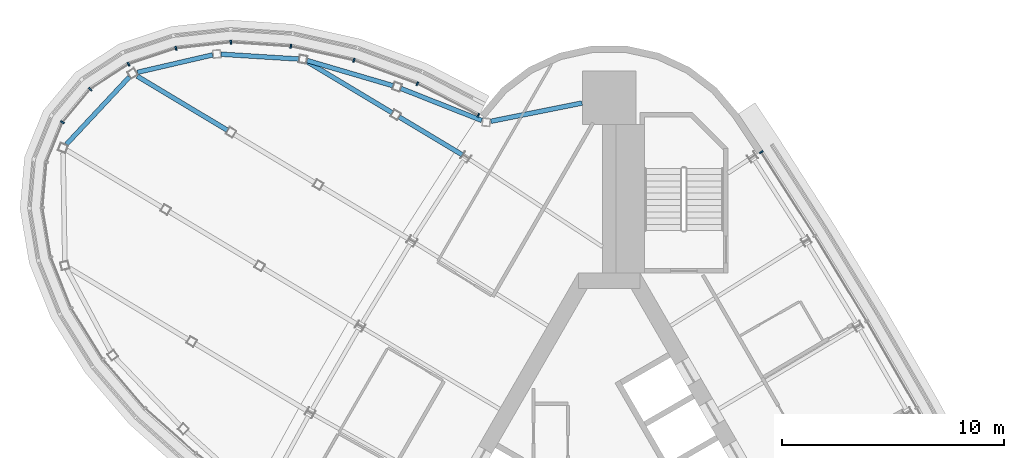
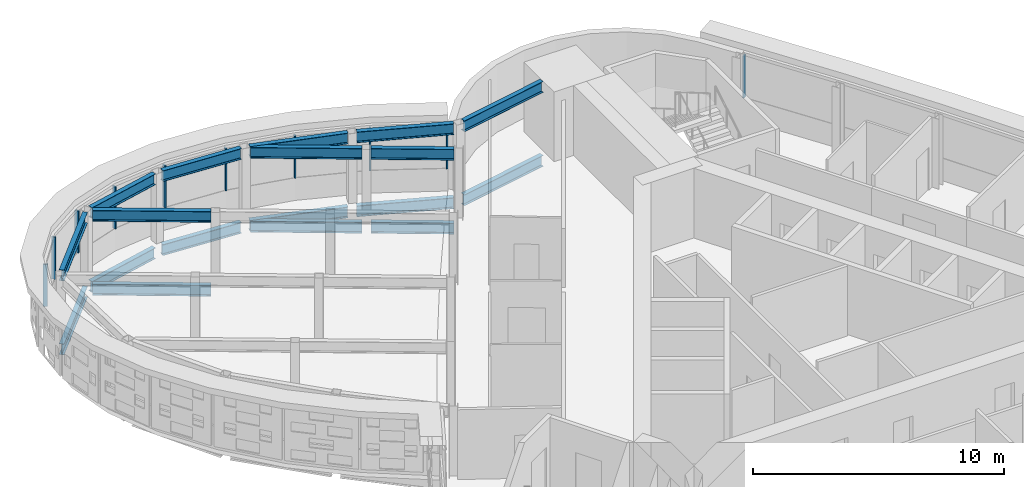
# One storey, part 7 of 13: 18 beams, 10 members, 2 elements without a shape of their own.
"""IFC4 building model written with IfcOpenShell, lengths in metres."""

from ifc_helpers import new_model, si_unit, direction, frame, origin, origin_2d, place, context, subcontext, project, spatial, rectangle, i_section, extrude, material, material_profile, profile_set, type_object, element, aggregate, save


model = new_model("IFC4")

# Units and contexts
model_context = context("Model", 3, precision=1e-05, world=origin(), true_north=direction((0.0, 1.0)))
body_context = subcontext(model_context, "Body", "Model", "MODEL_VIEW")
ifc_project = project(units=[si_unit("LENGTHUNIT", "METRE"), si_unit("AREAUNIT", "SQUARE_METRE"), si_unit("VOLUMEUNIT", "CUBIC_METRE"), si_unit("PLANEANGLEUNIT", "RADIAN"), si_unit("MASSUNIT", "GRAM", prefix="KILO")], contexts=[model_context])

# Site, building, storey
site_placement = place(None, origin())
site = spatial("IfcSite", under=ifc_project, at=site_placement, CompositionType="ELEMENT")
building_placement = place(site_placement, origin())
building = spatial("IfcBuilding", under=site, at=building_placement, Name="Noor Cloister Tower", CompositionType="ELEMENT")
storey_placement = place(building_placement, frame((0.0, 0.0, 270.60009765625)))
storey = spatial("IfcBuildingStorey", under=building, at=storey_placement, Name="L69", CompositionType="ELEMENT", Elevation=270.60009765625)

# Curtain wall, member
ifc_material_1 = material(Name="Aluminium 6063-T6 anodised", Category="aluminium")
curtain_wall_type_1 = type_object("IfcCurtainWallType", Name="Ribbon curtain wall, upper tower CW5", PredefinedType="NOTDEFINED", material=ifc_material_1)
curtain_wall_1_placement = place(storey_placement, origin())
curtain_wall_1 = element("IfcCurtainWall", 1, at=curtain_wall_1_placement, inside=storey, type_object=curtain_wall_type_1, Name="CW5 L69 NE run 4", PredefinedType="NOTDEFINED")
ifc_material_2 = material(Name="Aluminium 6063-T6 anodised", Category="aluminium")
ifc_material_profile_1 = material_profile(ifc_material_2, rectangle(XDim=0.179931640625, YDim=0.070068359375, at=origin_2d()), Name="180 x 70 mullion")
ifc_profile_set_1 = profile_set([ifc_material_profile_1], Name="Aluminium 6063-T6 anodised")
member_type_1 = type_object("IfcMemberType", Name="Mullion CW5 70 x 180", PredefinedType="MULLION", material=ifc_profile_set_1)
member_1_placement = place(storey_placement, frame((6.8359375, 16.884033203125, 1.099853515625), z_axis=(0.0, 0.0, 1.0), x_axis=(-0.841909869013, -0.539618172839, 0.0)))
member_1 = element("IfcMember", 2, at=member_1_placement, type_object=member_type_1, Name="CW5 mullion 6", PredefinedType="MULLION", context=body_context, shape_type="SweptSolid", body=[
    extrude(rectangle(XDim=0.179931640625, YDim=0.070068359375, at=origin_2d()), origin(), (0.0, 0.0, 1.0), 2.050048828125),
])
aggregate(curtain_wall_1, [member_1])

# Curtain wall, members
ifc_material_3 = material(Name="Aluminium 6063-T6 anodised", Category="aluminium")
curtain_wall_type_2 = type_object("IfcCurtainWallType", Name="Sky bar curtain wall, upper bars CW6", PredefinedType="NOTDEFINED", material=ifc_material_3)
curtain_wall_2_placement = place(storey_placement, origin())
curtain_wall_2 = element("IfcCurtainWall", 3, at=curtain_wall_2_placement, inside=storey, type_object=curtain_wall_type_2, Name="CW6 L69 NW sky bar run 1", PredefinedType="NOTDEFINED")
ifc_material_4 = material(Name="Aluminium 6063-T6 anodised", Category="aluminium")
ifc_material_profile_2 = material_profile(ifc_material_4, rectangle(XDim=0.179931640625, YDim=0.070068359375, at=origin_2d()), Name="180 x 70 mullion")
ifc_profile_set_2 = profile_set([ifc_material_profile_2], Name="Aluminium 6063-T6 anodised")
member_type_2 = type_object("IfcMemberType", Name="Mullion CW6 70 x 180", PredefinedType="MULLION", material=ifc_profile_set_2)
member_2_placement = place(storey_placement, frame((-5.886962890625, 18.536865234375, 1.099853515625), z_axis=(0.0, 0.0, 1.0), x_axis=(-0.46081220448, -0.887497668843, 0.0)))
member_2 = element("IfcMember", 4, at=member_2_placement, type_object=member_type_2, Name="CW6 mullion 1", PredefinedType="MULLION", context=body_context, shape_type="SweptSolid", body=[
    extrude(rectangle(XDim=0.179931640625, YDim=0.070068359375, at=origin_2d()), origin(), (0.0, 0.0, 1.0), 2.050048828125),
])
member_3_placement = place(storey_placement, frame((-8.625732421875, 19.958984375, 1.099853515625), z_axis=(0.0, 0.0, 1.0), x_axis=(-0.404177031861, -0.914680778696, 0.0)))
member_3 = element("IfcMember", 5, at=member_3_placement, type_object=member_type_2, Name="CW6 mullion 2", PredefinedType="MULLION", context=body_context, shape_type="SweptSolid", body=[
    extrude(rectangle(XDim=0.179931640625, YDim=0.070068359375, at=origin_2d()), origin(), (0.0, 0.0, 1.0), 2.050048828125),
])
member_4_placement = place(storey_placement, frame((-11.479736328125, 21.01123046875, 1.099853515625), z_axis=(0.0, 0.0, 1.0), x_axis=(-0.281957931584, -0.959426768866, 0.0)))
member_4 = element("IfcMember", 6, at=member_4_placement, type_object=member_type_2, Name="CW6 mullion 3", PredefinedType="MULLION", context=body_context, shape_type="SweptSolid", body=[
    extrude(rectangle(XDim=0.179931640625, YDim=0.070068359375, at=origin_2d()), origin(), (0.0, 0.0, 1.0), 2.050048828125),
])
member_5_placement = place(storey_placement, frame((-14.312255859375, 21.64013671875, 1.099853515625), z_axis=(0.0, 0.0, 1.0), x_axis=(-0.142274116321, -0.989827295959, 0.0)))
member_5 = element("IfcMember", 7, at=member_5_placement, type_object=member_type_2, Name="CW6 mullion 4", PredefinedType="MULLION", context=body_context, shape_type="SweptSolid", body=[
    extrude(rectangle(XDim=0.179931640625, YDim=0.070068359375, at=origin_2d()), origin(), (0.0, 0.0, 1.0), 2.050048828125),
])
member_6_placement = place(storey_placement, frame((-17.013671875, 21.821533203125, 1.099853515625), z_axis=(0.0, 0.0, 1.0), x_axis=(0.021295543387, -0.999773224202, 0.0)))
member_6 = element("IfcMember", 8, at=member_6_placement, type_object=member_type_2, Name="CW6 mullion 5", PredefinedType="MULLION", context=body_context, shape_type="SweptSolid", body=[
    extrude(rectangle(XDim=0.179931640625, YDim=0.070068359375, at=origin_2d()), origin(), (0.0, 0.0, 1.0), 2.050048828125),
])
member_7_placement = place(storey_placement, frame((-19.478759765625, 21.550048828125, 1.099853515625), z_axis=(0.0, 0.0, 1.0), x_axis=(0.214215849584, -0.976786348076, 0.0)))
member_7 = element("IfcMember", 9, at=member_7_placement, type_object=member_type_2, Name="CW6 mullion 6", PredefinedType="MULLION", context=body_context, shape_type="SweptSolid", body=[
    extrude(rectangle(XDim=0.179931640625, YDim=0.070068359375, at=origin_2d()), origin(), (0.0, 0.0, 1.0), 2.050048828125),
])
member_8_placement = place(storey_placement, frame((-21.612060546875, 20.838134765625, 1.099853515625), z_axis=(0.0, 0.0, 1.0), x_axis=(0.434972232459, -0.900443866651, 0.0)))
member_8 = element("IfcMember", 10, at=member_8_placement, type_object=member_type_2, Name="CW6 mullion 7", PredefinedType="MULLION", context=body_context, shape_type="SweptSolid", body=[
    extrude(rectangle(XDim=0.179931640625, YDim=0.070068359375, at=origin_2d()), origin(), (0.0, 0.0, 1.0), 2.050048828125),
])
member_9_placement = place(storey_placement, frame((-23.332763671875, 19.716064453125, 1.099853515625), z_axis=(0.0, 0.0, 1.0), x_axis=(0.663831714211, -0.747881979465, 0.0)))
member_9 = element("IfcMember", 11, at=member_9_placement, type_object=member_type_2, Name="CW6 mullion 8", PredefinedType="MULLION", context=body_context, shape_type="SweptSolid", body=[
    extrude(rectangle(XDim=0.179931640625, YDim=0.070068359375, at=origin_2d()), origin(), (0.0, 0.0, 1.0), 2.050048828125),
])
member_10_placement = place(storey_placement, frame((-24.578125, 18.227783203125, 1.099853515625), z_axis=(0.0, 0.0, 1.0), x_axis=(0.857566797188, -0.514372616262, 0.0)))
member_10 = element("IfcMember", 12, at=member_10_placement, type_object=member_type_2, Name="CW6 mullion 9", PredefinedType="MULLION", context=body_context, shape_type="SweptSolid", body=[
    extrude(rectangle(XDim=0.179931640625, YDim=0.070068359375, at=origin_2d()), origin(), (0.0, 0.0, 1.0), 2.050048828125),
])
aggregate(curtain_wall_2, [member_2, member_3, member_4, member_5, member_6, member_7, member_8, member_9, member_10])

# Beams
ifc_material_5 = material(Name="Steel ASTM A992 Gr 50", Category="steel")
ifc_material_profile_3 = material_profile(ifc_material_5, i_section(OverallWidth=0.208984375, OverallDepth=0.532958984375, WebThickness=0.01025390625, FlangeThickness=0.015625, FilletRadius=0.0126953125, at=origin_2d()), Name="W530x92")
ifc_profile_set_3 = profile_set([ifc_material_profile_3], Name="Steel ASTM A992 Gr 50")
beam_type = type_object("IfcBeamType", Name="Pod floor beam W530x92", PredefinedType="BEAM", material=ifc_profile_set_3)
beam_1_placement = place(storey_placement, frame((-6.600341796875, 16.760498046875, -0.466552734375), z_axis=(-0.857564350838, 0.514376694817, 0.0), x_axis=(-0.514376694817, -0.857564350838, 0.0)))
element("IfcBeam", 13, at=beam_1_placement, inside=storey, type_object=beam_type, Name="Pod floor beam 5 L69 line 1 span 1", PredefinedType="BEAM", context=body_context, shape_type="SweptSolid", body=[
    extrude(i_section(OverallWidth=0.208984375, OverallDepth=0.532958984375, WebThickness=0.01025390625, FlangeThickness=0.015625, FilletRadius=0.0126953125, at=origin_2d()), origin(), (0.0, 0.0, 1.0), 3.317138671875),
])
beam_2_placement = place(storey_placement, frame((-9.750244140625, 18.64990234375, -0.466552734375), z_axis=(-0.857580022584, 0.514350566116, 0.0), x_axis=(-0.514350566116, -0.857580022584, 0.0)))
element("IfcBeam", 14, at=beam_2_placement, inside=storey, type_object=beam_type, Name="Pod floor beam 5 L69 line 1 span 2", PredefinedType="BEAM", context=body_context, shape_type="SweptSolid", body=[
    extrude(i_section(OverallWidth=0.208984375, OverallDepth=0.532958984375, WebThickness=0.01025390625, FlangeThickness=0.015625, FilletRadius=0.0126953125, at=origin_2d()), origin(), (0.0, 0.0, 1.0), 4.451416015625),
])
beam_3_placement = place(storey_placement, frame((-17.157470703125, 17.86279296875, -0.466552734375), z_axis=(-0.857579324636, 0.514351729808, 0.0), x_axis=(-0.514351729808, -0.857579324636, 0.0)))
element("IfcBeam", 15, at=beam_3_placement, inside=storey, type_object=beam_type, Name="Pod floor beam 5 L69 line 2 span 3", PredefinedType="BEAM", context=body_context, shape_type="SweptSolid", body=[
    extrude(i_section(OverallWidth=0.208984375, OverallDepth=0.532958984375, WebThickness=0.01025390625, FlangeThickness=0.015625, FilletRadius=0.0126953125, at=origin_2d()), origin(), (0.0, 0.0, 1.0), 4.736572265625),
])
beam_4_placement = place(storey_placement, frame((-1.220458984375, 19.0908203125, -0.466552734375), z_axis=(-0.980551450431, -0.196262204862, 0.0), x_axis=(0.196262204862, -0.980551450431, 0.0)))
element("IfcBeam", 16, at=beam_4_placement, inside=storey, type_object=beam_type, Name="Pod floor beam 5 L69 ring 1", PredefinedType="BEAM", context=body_context, shape_type="SweptSolid", body=[
    extrude(i_section(OverallWidth=0.208984375, OverallDepth=0.532958984375, WebThickness=0.01025390625, FlangeThickness=0.015625, FilletRadius=0.0126953125, at=origin_2d()), origin(), (0.0, 0.0, 1.0), 4.178466796875),
])
beam_5_placement = place(storey_placement, frame((-5.73095703125, 18.308349609375, -0.466552734375), z_axis=(-0.929762548577, 0.368159752367, 0.0), x_axis=(-0.368159752367, -0.929762548577, 0.0)))
element("IfcBeam", 17, at=beam_5_placement, inside=storey, type_object=beam_type, Name="Pod floor beam 5 L69 ring 2", PredefinedType="BEAM", context=body_context, shape_type="SweptSolid", body=[
    extrude(i_section(OverallWidth=0.208984375, OverallDepth=0.532958984375, WebThickness=0.01025390625, FlangeThickness=0.015625, FilletRadius=0.0126953125, at=origin_2d()), origin(), (0.0, 0.0, 1.0), 3.9111328125),
])
beam_6_placement = place(storey_placement, frame((-9.713134765625, 19.8671875, -0.466552734375), z_axis=(-0.959440670198, 0.281910624791, 0.0), x_axis=(-0.281910624791, -0.959440670198, 0.0)))
element("IfcBeam", 18, at=beam_6_placement, inside=storey, type_object=beam_type, Name="Pod floor beam 5 L69 ring 3", PredefinedType="BEAM", context=body_context, shape_type="SweptSolid", body=[
    extrude(i_section(OverallWidth=0.208984375, OverallDepth=0.532958984375, WebThickness=0.01025390625, FlangeThickness=0.015625, FilletRadius=0.0126953125, at=origin_2d()), origin(), (0.0, 0.0, 1.0), 4.0322265625),
])
beam_7_placement = place(storey_placement, frame((-13.955322265625, 21.0693359375, -0.466552734375), z_axis=(-0.998058544346, 0.062282758917, 0.0), x_axis=(-0.062282758917, -0.998058544346, 0.0)))
element("IfcBeam", 19, at=beam_7_placement, inside=storey, type_object=beam_type, Name="Pod floor beam 5 L69 ring 4", PredefinedType="BEAM", context=body_context, shape_type="SweptSolid", body=[
    extrude(i_section(OverallWidth=0.208984375, OverallDepth=0.532958984375, WebThickness=0.01025390625, FlangeThickness=0.015625, FilletRadius=0.0126953125, at=origin_2d()), origin(), (0.0, 0.0, 1.0), 3.50048828125),
])
beam_8_placement = place(storey_placement, frame((-17.833984375, 21.25537109375, -0.466552734375), z_axis=(-0.974161467684, -0.225852684022, 0.0), x_axis=(0.225852684022, -0.974161467684, 0.0)))
element("IfcBeam", 20, at=beam_8_placement, inside=storey, type_object=beam_type, Name="Pod floor beam 5 L69 ring 5", PredefinedType="BEAM", context=body_context, shape_type="SweptSolid", body=[
    extrude(i_section(OverallWidth=0.208984375, OverallDepth=0.532958984375, WebThickness=0.01025390625, FlangeThickness=0.015625, FilletRadius=0.0126953125, at=origin_2d()), origin(), (0.0, 0.0, 1.0), 3.464599609375),
])
beam_9_placement = place(storey_placement, frame((-21.5712890625, 20.2666015625, -0.466552734375), z_axis=(-0.683011077874, -0.730408014401, 0.0), x_axis=(0.730408014401, -0.683011077874, 0.0)))
element("IfcBeam", 21, at=beam_9_placement, inside=storey, type_object=beam_type, Name="Pod floor beam 5 L69 ring 6", PredefinedType="BEAM", context=body_context, shape_type="SweptSolid", body=[
    extrude(i_section(OverallWidth=0.208984375, OverallDepth=0.532958984375, WebThickness=0.01025390625, FlangeThickness=0.015625, FilletRadius=0.0126953125, at=origin_2d()), origin(), (0.0, 0.0, 1.0), 4.141357421875),
])
beam_10_placement = place(storey_placement, frame((-6.600341796875, 16.760498046875, 3.13330078125), z_axis=(-0.857564350838, 0.514376694817, 0.0), x_axis=(-0.514376694817, -0.857564350838, 0.0)))
element("IfcBeam", 22, at=beam_10_placement, inside=storey, type_object=beam_type, Name="Pod floor beam 5 L70 line 1 span 1", PredefinedType="BEAM", context=body_context, shape_type="SweptSolid", body=[
    extrude(i_section(OverallWidth=0.208984375, OverallDepth=0.532958984375, WebThickness=0.01025390625, FlangeThickness=0.015625, FilletRadius=0.0126953125, at=origin_2d()), origin(), (0.0, 0.0, 1.0), 3.317138671875),
])
beam_11_placement = place(storey_placement, frame((-9.750244140625, 18.64990234375, 3.13330078125), z_axis=(-0.857580022584, 0.514350566116, 0.0), x_axis=(-0.514350566116, -0.857580022584, 0.0)))
element("IfcBeam", 23, at=beam_11_placement, inside=storey, type_object=beam_type, Name="Pod floor beam 5 L70 line 1 span 2", PredefinedType="BEAM", context=body_context, shape_type="SweptSolid", body=[
    extrude(i_section(OverallWidth=0.208984375, OverallDepth=0.532958984375, WebThickness=0.01025390625, FlangeThickness=0.015625, FilletRadius=0.0126953125, at=origin_2d()), origin(), (0.0, 0.0, 1.0), 4.451416015625),
])
beam_12_placement = place(storey_placement, frame((-17.157470703125, 17.86279296875, 3.13330078125), z_axis=(-0.857579324636, 0.514351729808, 0.0), x_axis=(-0.514351729808, -0.857579324636, 0.0)))
element("IfcBeam", 24, at=beam_12_placement, inside=storey, type_object=beam_type, Name="Pod floor beam 5 L70 line 2 span 3", PredefinedType="BEAM", context=body_context, shape_type="SweptSolid", body=[
    extrude(i_section(OverallWidth=0.208984375, OverallDepth=0.532958984375, WebThickness=0.01025390625, FlangeThickness=0.015625, FilletRadius=0.0126953125, at=origin_2d()), origin(), (0.0, 0.0, 1.0), 4.736572265625),
])
beam_13_placement = place(storey_placement, frame((-1.220458984375, 19.0908203125, 3.13330078125), z_axis=(-0.980551450431, -0.196262204862, 0.0), x_axis=(0.196262204862, -0.980551450431, 0.0)))
element("IfcBeam", 25, at=beam_13_placement, inside=storey, type_object=beam_type, Name="Pod floor beam 5 L70 ring 1", PredefinedType="BEAM", context=body_context, shape_type="SweptSolid", body=[
    extrude(i_section(OverallWidth=0.208984375, OverallDepth=0.532958984375, WebThickness=0.01025390625, FlangeThickness=0.015625, FilletRadius=0.0126953125, at=origin_2d()), origin(), (0.0, 0.0, 1.0), 4.178466796875),
])
beam_14_placement = place(storey_placement, frame((-5.73095703125, 18.308349609375, 3.13330078125), z_axis=(-0.929762548577, 0.368159752367, 0.0), x_axis=(-0.368159752367, -0.929762548577, 0.0)))
element("IfcBeam", 26, at=beam_14_placement, inside=storey, type_object=beam_type, Name="Pod floor beam 5 L70 ring 2", PredefinedType="BEAM", context=body_context, shape_type="SweptSolid", body=[
    extrude(i_section(OverallWidth=0.208984375, OverallDepth=0.532958984375, WebThickness=0.01025390625, FlangeThickness=0.015625, FilletRadius=0.0126953125, at=origin_2d()), origin(), (0.0, 0.0, 1.0), 3.9111328125),
])
beam_15_placement = place(storey_placement, frame((-9.713134765625, 19.8671875, 3.13330078125), z_axis=(-0.959440670198, 0.281910624791, 0.0), x_axis=(-0.281910624791, -0.959440670198, 0.0)))
element("IfcBeam", 27, at=beam_15_placement, inside=storey, type_object=beam_type, Name="Pod floor beam 5 L70 ring 3", PredefinedType="BEAM", context=body_context, shape_type="SweptSolid", body=[
    extrude(i_section(OverallWidth=0.208984375, OverallDepth=0.532958984375, WebThickness=0.01025390625, FlangeThickness=0.015625, FilletRadius=0.0126953125, at=origin_2d()), origin(), (0.0, 0.0, 1.0), 4.0322265625),
])
beam_16_placement = place(storey_placement, frame((-13.955322265625, 21.0693359375, 3.13330078125), z_axis=(-0.998058544346, 0.062282758917, 0.0), x_axis=(-0.062282758917, -0.998058544346, 0.0)))
element("IfcBeam", 28, at=beam_16_placement, inside=storey, type_object=beam_type, Name="Pod floor beam 5 L70 ring 4", PredefinedType="BEAM", context=body_context, shape_type="SweptSolid", body=[
    extrude(i_section(OverallWidth=0.208984375, OverallDepth=0.532958984375, WebThickness=0.01025390625, FlangeThickness=0.015625, FilletRadius=0.0126953125, at=origin_2d()), origin(), (0.0, 0.0, 1.0), 3.50048828125),
])
beam_17_placement = place(storey_placement, frame((-17.833984375, 21.25537109375, 3.13330078125), z_axis=(-0.974161467684, -0.225852684022, 0.0), x_axis=(0.225852684022, -0.974161467684, 0.0)))
element("IfcBeam", 29, at=beam_17_placement, inside=storey, type_object=beam_type, Name="Pod floor beam 5 L70 ring 5", PredefinedType="BEAM", context=body_context, shape_type="SweptSolid", body=[
    extrude(i_section(OverallWidth=0.208984375, OverallDepth=0.532958984375, WebThickness=0.01025390625, FlangeThickness=0.015625, FilletRadius=0.0126953125, at=origin_2d()), origin(), (0.0, 0.0, 1.0), 3.464599609375),
])
beam_18_placement = place(storey_placement, frame((-21.5712890625, 20.2666015625, 3.13330078125), z_axis=(-0.683011077874, -0.730408014401, 0.0), x_axis=(0.730408014401, -0.683011077874, 0.0)))
element("IfcBeam", 30, at=beam_18_placement, inside=storey, type_object=beam_type, Name="Pod floor beam 5 L70 ring 6", PredefinedType="BEAM", context=body_context, shape_type="SweptSolid", body=[
    extrude(i_section(OverallWidth=0.208984375, OverallDepth=0.532958984375, WebThickness=0.01025390625, FlangeThickness=0.015625, FilletRadius=0.0126953125, at=origin_2d()), origin(), (0.0, 0.0, 1.0), 4.141357421875),
])

save(model, "model.ifc")
